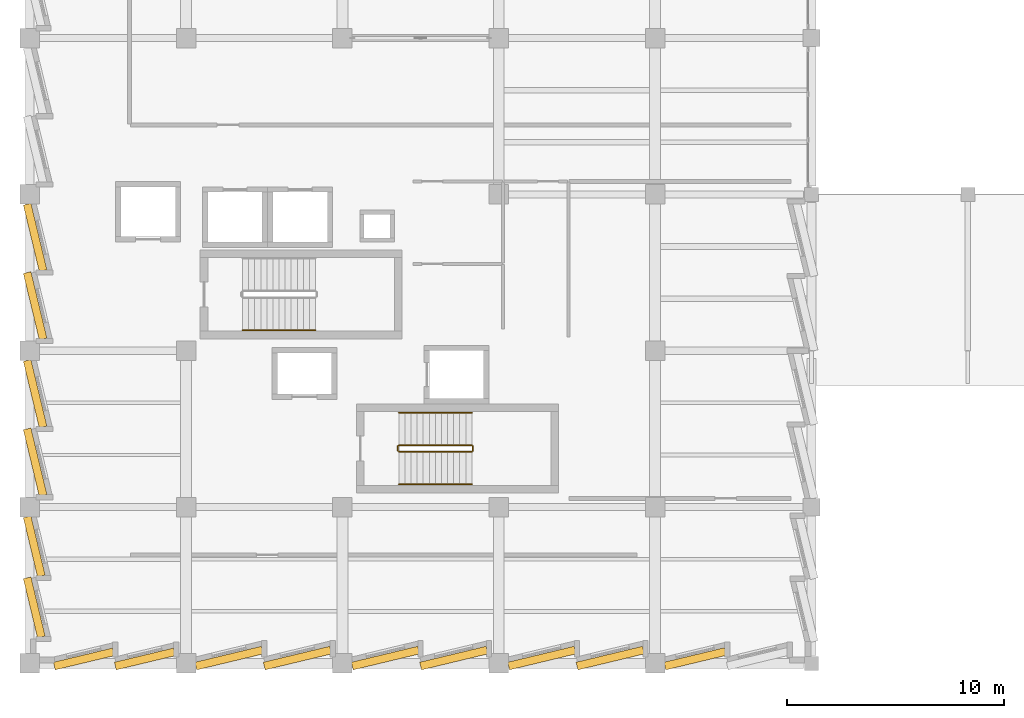
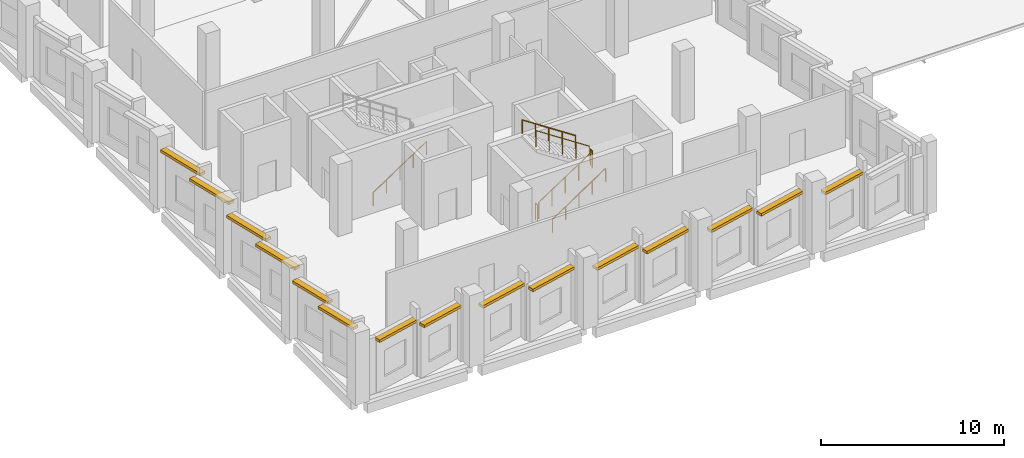
# One storey, part 108 of 127: 15 shading devices, 7 railings.
"""IFC4 building model written with IfcOpenShell, lengths in metres."""

from ifc_helpers import new_model, si_unit, direction, frame, origin, origin_2d, place, context, subcontext, project, spatial, rectangle, circle, extrude, material, layer, layer_set, type_object, element, save


model = new_model("IFC4")

# Units and contexts
model_context = context("Model", 3, precision=1e-05, world=origin(), true_north=direction((0.0, 1.0)))
body_context = subcontext(model_context, "Body", "Model", "MODEL_VIEW")
ifc_project = project(units=[si_unit("LENGTHUNIT", "METRE"), si_unit("AREAUNIT", "SQUARE_METRE"), si_unit("VOLUMEUNIT", "CUBIC_METRE"), si_unit("PLANEANGLEUNIT", "RADIAN"), si_unit("MASSUNIT", "GRAM", prefix="KILO")], contexts=[model_context])

# Site, building, storey
site_placement = place(None, origin())
site = spatial("IfcSite", under=ifc_project, at=site_placement, CompositionType="ELEMENT")
building_placement = place(site_placement, origin())
building = spatial("IfcBuilding", under=site, at=building_placement, Name="Kalmorath City Hall", CompositionType="ELEMENT")
storey_placement = place(building_placement, frame((0.0, 0.0, 5.39990234375)))
storey = spatial("IfcBuildingStorey", under=building, at=storey_placement, Name="L01", CompositionType="ELEMENT", Elevation=5.39990234375)

# Shading devices
ifc_material_1 = material(Name="Precast concrete C40/50", Category="concrete")
ifc_layer = layer(ifc_material_1, 0.179931640625)
ifc_layer_set = layer_set([ifc_layer], Name="Precast concrete C40/50")
shading_device_type = type_object("IfcShadingDeviceType", Name="Precast sawtooth brow sunshade 350", PredefinedType="USERDEFINED", material=ifc_layer_set)
for number, where, z_axis, x_axis, name in (
    (1, (0.2060546875, 2.581787109375, 3.76611328125), (0.0, 0.0, 1.0), (-0.233445363856, 0.972369920398, 0.0), "L01 precast sawtooth hood #86"),
    (2, (0.2060546875, 5.390625, 3.76611328125), (0.0, 0.0, 1.0), (-0.233445363856, 0.972369920398, 0.0), "L01 precast sawtooth hood #87"),
):
    element("IfcShadingDevice", number, at=place(storey_placement, frame(where, z_axis=z_axis, x_axis=x_axis)), inside=storey, type_object=shading_device_type, Name=name, ObjectType="SUNSHADE", PredefinedType="USERDEFINED", context=body_context, shape_type="SweptSolid", body=[
        extrude(rectangle(XDim=2.793701171875, YDim=0.360107421875, at=origin_2d()), origin(), (0.0, 0.0, 1.0), 0.179931640625),
    ])
for number, where, z_axis, x_axis, name in (
    (3, (0.246826171875, 9.271728515625, 3.76611328125), (0.0, 0.0, 1.0), (-0.233445363856, 0.972369920398, 0.0), "L01 precast sawtooth hood #88"),
    (4, (0.246826171875, 12.420654296875, 3.76611328125), (0.0, 0.0, 1.0), (-0.233445363856, 0.972369920398, 0.0), "L01 precast sawtooth hood #89"),
    (5, (0.246826171875, 16.4716796875, 3.76611328125), (0.0, 0.0, 1.0), (-0.233445363856, 0.972369920398, 0.0), "L01 precast sawtooth hood #90"),
    (6, (0.246826171875, 19.62060546875, 3.76611328125), (0.0, 0.0, 1.0), (-0.233445363856, 0.972369920398, 0.0), "L01 precast sawtooth hood #91"),
):
    element("IfcShadingDevice", number, at=place(storey_placement, frame(where, z_axis=z_axis, x_axis=x_axis)), inside=storey, type_object=shading_device_type, Name=name, ObjectType="SUNSHADE", PredefinedType="USERDEFINED", context=body_context, shape_type="SweptSolid", body=[
        extrude(rectangle(XDim=3.1435546875, YDim=0.360107421875, at=origin_2d()), origin(), (0.0, 0.0, 1.0), 0.179931640625),
    ])
shading_device_placement = place(storey_placement, frame((30.640625, 0.213623046875, 3.541015625), z_axis=(0.0, 0.0, 1.0), x_axis=(-0.972369920398, -0.233445363856, 0.0)))
element("IfcShadingDevice", 7, at=shading_device_placement, inside=storey, type_object=shading_device_type, Name="L01 precast sawtooth hood #154", ObjectType="SUNSHADE", PredefinedType="USERDEFINED", context=body_context, shape_type="SweptSolid", body=[
    extrude(rectangle(XDim=2.858154296875, YDim=0.360107421875, at=origin_2d()), origin(), (0.0, 0.0, 1.0), 0.179931640625),
])
for number, where, z_axis, x_axis, name in (
    (8, (26.728271484375, 0.246826171875, 3.541015625), (0.0, 0.0, 1.0), (-0.972369920398, -0.233445363856, 0.0), "L01 precast sawtooth hood #155"),
    (9, (23.579345703125, 0.246826171875, 3.541015625), (0.0, 0.0, 1.0), (-0.972369920398, -0.233445363856, 0.0), "L01 precast sawtooth hood #156"),
    (10, (19.5283203125, 0.246826171875, 3.541015625), (0.0, 0.0, 1.0), (-0.972369920398, -0.233445363856, 0.0), "L01 precast sawtooth hood #157"),
    (11, (16.37939453125, 0.246826171875, 3.541015625), (0.0, 0.0, 1.0), (-0.972369920398, -0.233445363856, 0.0), "L01 precast sawtooth hood #158"),
    (12, (12.328369140625, 0.246826171875, 3.541015625), (0.0, 0.0, 1.0), (-0.972369920398, -0.233445363856, 0.0), "L01 precast sawtooth hood #159"),
    (13, (9.17919921875, 0.246826171875, 3.541015625), (0.0, 0.0, 1.0), (-0.972369920398, -0.233445363856, 0.0), "L01 precast sawtooth hood #160"),
):
    element("IfcShadingDevice", number, at=place(storey_placement, frame(where, z_axis=z_axis, x_axis=x_axis)), inside=storey, type_object=shading_device_type, Name=name, ObjectType="SUNSHADE", PredefinedType="USERDEFINED", context=body_context, shape_type="SweptSolid", body=[
        extrude(rectangle(XDim=3.1435546875, YDim=0.360107421875, at=origin_2d()), origin(), (0.0, 0.0, 1.0), 0.179931640625),
    ])
for number, where, z_axis, x_axis, name in (
    (14, (5.29833984375, 0.2060546875, 3.541015625), (0.0, 0.0, 1.0), (-0.972369920398, -0.233445363856, 0.0), "L01 precast sawtooth hood #161"),
    (15, (2.4892578125, 0.2060546875, 3.541015625), (0.0, 0.0, 1.0), (-0.972369920398, -0.233445363856, 0.0), "L01 precast sawtooth hood #162"),
):
    element("IfcShadingDevice", number, at=place(storey_placement, frame(where, z_axis=z_axis, x_axis=x_axis)), inside=storey, type_object=shading_device_type, Name=name, ObjectType="SUNSHADE", PredefinedType="USERDEFINED", context=body_context, shape_type="SweptSolid", body=[
        extrude(rectangle(XDim=2.793701171875, YDim=0.360107421875, at=origin_2d()), origin(), (0.0, 0.0, 1.0), 0.179931640625),
    ])

# Railings
ifc_material_2 = material(Name="Painted steel guardrail", Category="steel")
railing_type_1 = type_object("IfcRailingType", Name="Protected stair guardrail 1100", PredefinedType="GUARDRAIL", material=ifc_material_2)
railing_1_placement = place(storey_placement, frame((17.0, 9.75, 0.184814453125)))
element("IfcRailing", 16, at=railing_1_placement, inside=storey, type_object=railing_type_1, Name="L01 ST-2 stair guard 1", PredefinedType="GUARDRAIL", context=body_context, shape_type="SweptSolid", body=[
    extrude(circle(Radius=0.02392578125, at=origin_2d()), frame((0.0, 0.0, 1.076171875), z_axis=(0.834876476806, 0.0, 0.550437342915), x_axis=(0.0, 1.0, 0.0)), (0.0, 0.0, 1.0), 4.024658203125),
    extrude(circle(Radius=0.02099609375, at=origin_2d()), origin(), (0.0, 0.0, 1.0), 1.052001953125),
    extrude(circle(Radius=0.02099609375, at=origin_2d()), frame((0.840087890625, 0.0, 0.5537109375)), (0.0, 0.0, 1.0), 1.052001953125),
    extrude(circle(Radius=0.02099609375, at=origin_2d()), frame((1.68017578125, 0.0, 1.107666015625)), (0.0, 0.0, 1.0), 1.052001953125),
    extrude(circle(Radius=0.02099609375, at=origin_2d()), frame((2.52001953125, 0.0, 1.66162109375)), (0.0, 0.0, 1.0), 1.052001953125),
    extrude(circle(Radius=0.02099609375, at=origin_2d()), frame((3.360107421875, 0.0, 2.21533203125)), (0.0, 0.0, 1.0), 1.052001953125),
])
railing_2_placement = place(storey_placement, frame((20.409912109375, 9.800048828125, 2.400146484375)))
element("IfcRailing", 17, at=railing_2_placement, inside=storey, type_object=railing_type_1, Name="L01 ST-2 stair guard 2", PredefinedType="GUARDRAIL", context=body_context, shape_type="SweptSolid", body=[
    extrude(circle(Radius=0.02392578125, at=origin_2d()), frame((0.0, 0.0, 1.076171875), z_axis=(0.0, 1.0, 0.0), x_axis=(-1.0, 0.0, 0.0)), (0.0, 0.0, 1.0), 0.199951171875),
    extrude(circle(Radius=0.02099609375, at=origin_2d()), origin(), (0.0, 0.0, 1.0), 1.052001953125),
    extrude(circle(Radius=0.02099609375, at=origin_2d()), frame((0.0, 0.199951171875, 0.0)), (0.0, 0.0, 1.0), 1.052001953125),
])
railing_3_placement = place(storey_placement, frame((20.360107421875, 10.050048828125, 2.584716796875)))
element("IfcRailing", 18, at=railing_3_placement, inside=storey, type_object=railing_type_1, Name="L01 ST-2 stair guard 3", PredefinedType="GUARDRAIL", context=body_context, shape_type="SweptSolid", body=[
    extrude(circle(Radius=0.02392578125, at=origin_2d()), frame((0.0, 0.0, 1.076171875), z_axis=(-0.834876476806, 0.0, 0.550437342915), x_axis=(0.0, -1.0, 0.0)), (0.0, 0.0, 1.0), 4.024658203125),
    extrude(circle(Radius=0.02099609375, at=origin_2d()), origin(), (0.0, 0.0, 1.0), 1.052001953125),
    extrude(circle(Radius=0.02099609375, at=origin_2d()), frame((-0.840087890625, 0.0, 0.5537109375)), (0.0, 0.0, 1.0), 1.052001953125),
    extrude(circle(Radius=0.02099609375, at=origin_2d()), frame((-1.68017578125, 0.0, 1.107666015625)), (0.0, 0.0, 1.0), 1.052001953125),
    extrude(circle(Radius=0.02099609375, at=origin_2d()), frame((-2.52001953125, 0.0, 1.66162109375)), (0.0, 0.0, 1.0), 1.052001953125),
    extrude(circle(Radius=0.02099609375, at=origin_2d()), frame((-3.360107421875, 0.0, 2.21533203125)), (0.0, 0.0, 1.0), 1.052001953125),
])
railing_4_placement = place(storey_placement, frame((16.949951171875, 9.800048828125, 0.0)))
element("IfcRailing", 19, at=railing_4_placement, inside=storey, type_object=railing_type_1, Name="L01 ST-2 stair guard 4", PredefinedType="GUARDRAIL", context=body_context, shape_type="SweptSolid", body=[
    extrude(circle(Radius=0.02392578125, at=origin_2d()), frame((0.0, 0.0, 1.076171875), z_axis=(0.0, 1.0, 0.0), x_axis=(-1.0, 0.0, 0.0)), (0.0, 0.0, 1.0), 0.199951171875),
    extrude(circle(Radius=0.02099609375, at=origin_2d()), origin(), (0.0, 0.0, 1.0), 1.052001953125),
    extrude(circle(Radius=0.02099609375, at=origin_2d()), frame((0.0, 0.199951171875, 0.0)), (0.0, 0.0, 1.0), 1.052001953125),
])
ifc_material_3 = material(Name="Brushed stainless steel handrail", Category="steel")
railing_type_2 = type_object("IfcRailingType", Name="Stair pitch handrail 900", PredefinedType="HANDRAIL", material=ifc_material_3)
railing_5_placement = place(storey_placement, frame((9.800048828125, 15.35009765625, 0.184814453125)))
element("IfcRailing", 20, at=railing_5_placement, inside=storey, type_object=railing_type_2, Name="L01 ST-1 stair handrail 1", PredefinedType="HANDRAIL", context=body_context, shape_type="SweptSolid", body=[
    extrude(circle(Radius=0.02392578125, at=origin_2d()), frame((0.0, 0.0, 0.8759765625), z_axis=(0.834858096282, 0.0, 0.550465220583), x_axis=(0.0, 1.0, 0.0)), (0.0, 0.0, 1.0), 4.0244140625),
    extrude(circle(Radius=0.02099609375, at=origin_2d()), origin(), (0.0, 0.0, 1.0), 0.851806640625),
    extrude(circle(Radius=0.02099609375, at=origin_2d()), frame((0.83984375, 0.0, 0.5537109375)), (0.0, 0.0, 1.0), 0.851806640625),
    extrude(circle(Radius=0.02099609375, at=origin_2d()), frame((1.679931640625, 0.0, 1.107666015625)), (0.0, 0.0, 1.0), 0.851806640625),
    extrude(circle(Radius=0.02099609375, at=origin_2d()), frame((2.52001953125, 0.0, 1.66162109375)), (0.0, 0.0, 1.0), 0.851806640625),
    extrude(circle(Radius=0.02099609375, at=origin_2d()), frame((3.35986328125, 0.0, 2.21533203125)), (0.0, 0.0, 1.0), 0.851806640625),
])
railing_6_placement = place(storey_placement, frame((17.0, 8.25, 0.184814453125)))
element("IfcRailing", 21, at=railing_6_placement, inside=storey, type_object=railing_type_2, Name="L01 ST-2 stair handrail 1", PredefinedType="HANDRAIL", context=body_context, shape_type="SweptSolid", body=[
    extrude(circle(Radius=0.02392578125, at=origin_2d()), frame((0.0, 0.0, 0.8759765625), z_axis=(0.834876476806, 0.0, 0.550437342915), x_axis=(0.0, 1.0, 0.0)), (0.0, 0.0, 1.0), 4.024658203125),
    extrude(circle(Radius=0.02099609375, at=origin_2d()), origin(), (0.0, 0.0, 1.0), 0.851806640625),
    extrude(circle(Radius=0.02099609375, at=origin_2d()), frame((0.840087890625, 0.0, 0.5537109375)), (0.0, 0.0, 1.0), 0.851806640625),
    extrude(circle(Radius=0.02099609375, at=origin_2d()), frame((1.68017578125, 0.0, 1.107666015625)), (0.0, 0.0, 1.0), 0.851806640625),
    extrude(circle(Radius=0.02099609375, at=origin_2d()), frame((2.52001953125, 0.0, 1.66162109375)), (0.0, 0.0, 1.0), 0.851806640625),
    extrude(circle(Radius=0.02099609375, at=origin_2d()), frame((3.360107421875, 0.0, 2.21533203125)), (0.0, 0.0, 1.0), 0.851806640625),
])
railing_7_placement = place(storey_placement, frame((20.360107421875, 11.550048828125, 2.584716796875)))
element("IfcRailing", 22, at=railing_7_placement, inside=storey, type_object=railing_type_2, Name="L01 ST-2 stair handrail 2", PredefinedType="HANDRAIL", context=body_context, shape_type="SweptSolid", body=[
    extrude(circle(Radius=0.02392578125, at=origin_2d()), frame((0.0, 0.0, 0.8759765625), z_axis=(-0.834876476806, 0.0, 0.550437342915), x_axis=(0.0, -1.0, 0.0)), (0.0, 0.0, 1.0), 4.024658203125),
    extrude(circle(Radius=0.02099609375, at=origin_2d()), origin(), (0.0, 0.0, 1.0), 0.851806640625),
    extrude(circle(Radius=0.02099609375, at=origin_2d()), frame((-0.840087890625, 0.0, 0.5537109375)), (0.0, 0.0, 1.0), 0.851806640625),
    extrude(circle(Radius=0.02099609375, at=origin_2d()), frame((-1.68017578125, 0.0, 1.107666015625)), (0.0, 0.0, 1.0), 0.851806640625),
    extrude(circle(Radius=0.02099609375, at=origin_2d()), frame((-2.52001953125, 0.0, 1.66162109375)), (0.0, 0.0, 1.0), 0.851806640625),
    extrude(circle(Radius=0.02099609375, at=origin_2d()), frame((-3.360107421875, 0.0, 2.21533203125)), (0.0, 0.0, 1.0), 0.851806640625),
])

save(model, "model.ifc")
